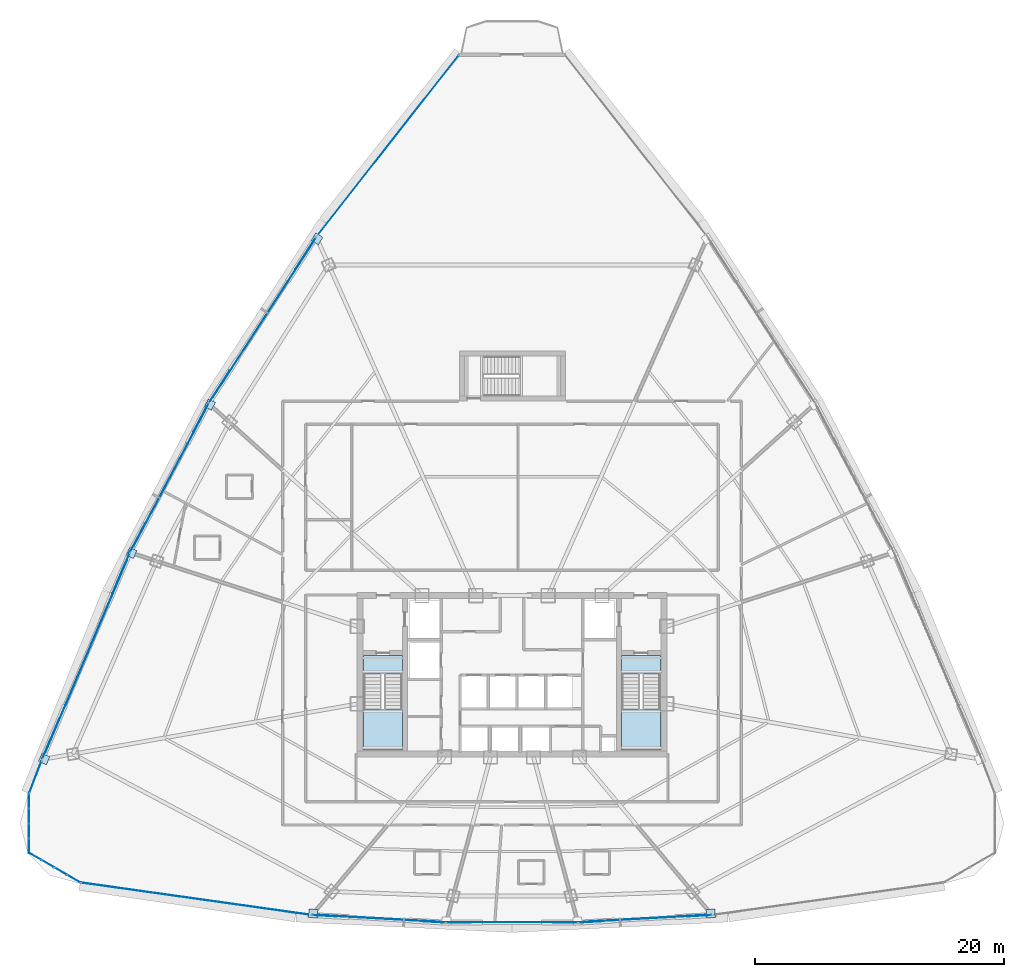
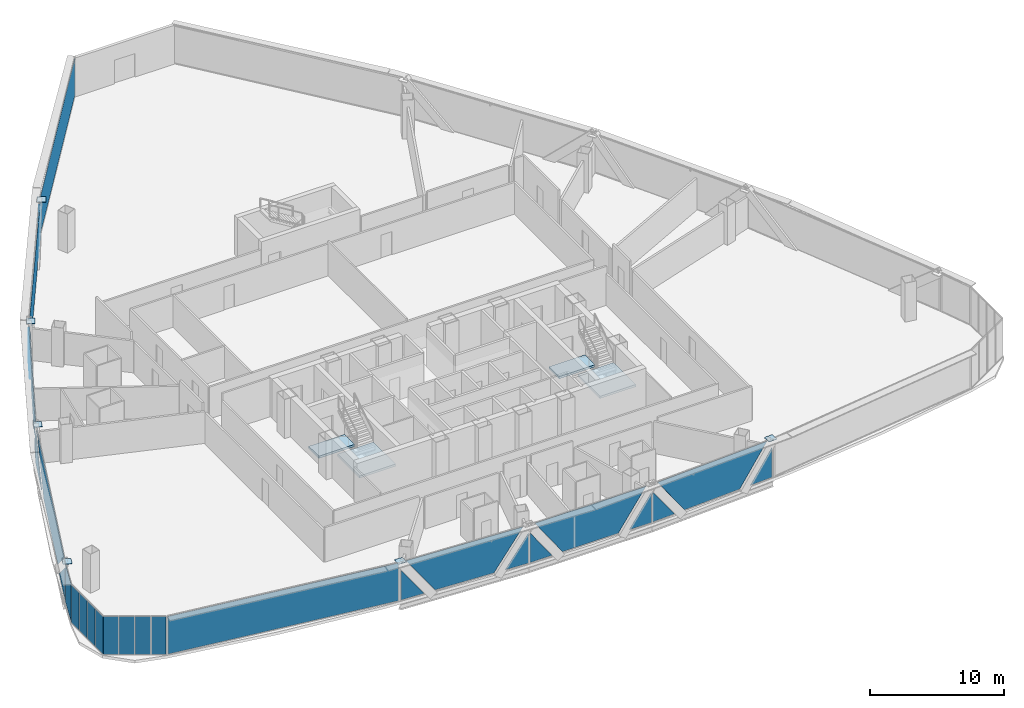
# One storey, part 29 of 40: 35 plates, 4 slabs, 13 elements without a shape of their own.
"""IFC4 building model written with IfcOpenShell, lengths in metres."""

import ifcopenshell
import ifcopenshell.guid

model = None  # the IFC model being written
_history = None  # IfcOwnerHistory: only IFC2X3 demands one
_inside = {}  # id of a spatial element -> (the spatial element, [elements in it])
_under = {}  # id of a project, library or spatial element -> (it, [spatial elements below it])
_declared = {}  # id of a project -> (the project, [libraries it declares])
_typed = {}  # id of a type object -> (the type object, [elements of that type])
_made_of = {}  # id of a material, layer set ... -> (it, [elements and type objects made of it])


def new_model(schema):
    """Start an empty IFC model of exactly this schema.

    Asked for "IFC4X3", IfcOpenShell would pick the latest addendum, in which some entities
    have other attributes; the version numbers below select the first issue.
    IFC2X3 requires an IfcOwnerHistory on every rooted entity: one is made here for all.
    """
    global model, _history
    if schema == "IFC4X3":
        model = ifcopenshell.file(schema_version=(4, 3, 0, 0))
    else:
        model = ifcopenshell.file(schema=schema)
    _inside.clear()
    _under.clear()
    _declared.clear()
    _typed.clear()
    _made_of.clear()
    _history = None
    if model.schema == "IFC2X3":
        org = make("IfcOrganization", Name="unknown")
        user = make(
            "IfcPersonAndOrganization",
            ThePerson=make("IfcPerson", FamilyName="unknown"),
            TheOrganization=org,
        )
        app = make(
            "IfcApplication",
            ApplicationDeveloper=org,
            Version="unknown",
            ApplicationFullName="unknown",
            ApplicationIdentifier="unknown",
        )
        _history = make(
            "IfcOwnerHistory",
            OwningUser=user,
            OwningApplication=app,
            ChangeAction="ADDED",
            CreationDate=0,
        )
    return model


def make(cls, **values):
    """One entity of the class cls with the attributes given. An attribute that is None is left unset."""
    return model.create_entity(
        cls, **{name: value for name, value in values.items() if value is not None}
    )


def rooted(cls, **values):
    """An entity with a GlobalId (a new one), such as an element, a storey or a relation."""
    return make(cls, GlobalId=ifcopenshell.guid.new(), OwnerHistory=_history, **values)


def si_unit(unit_type, name, prefix=None):
    """IfcSIUnit, for example si_unit("LENGTHUNIT", "METRE", prefix="MILLI")."""
    return make("IfcSIUnit", UnitType=unit_type, Prefix=prefix, Name=name)


def assignment(units):
    """IfcUnitAssignment: the units of a project."""
    return None if units is None else make("IfcUnitAssignment", Units=units)


def point(xyz):
    """IfcCartesianPoint."""
    return None if xyz is None else make("IfcCartesianPoint", Coordinates=xyz)


def direction(xyz):
    """IfcDirection."""
    return None if xyz is None else make("IfcDirection", DirectionRatios=xyz)


def frame(location, z_axis=None, x_axis=None):
    """IfcAxis2Placement3D, a coordinate frame: its origin and axes. An axis left out is left unset."""
    return make(
        "IfcAxis2Placement3D",
        Location=point(location),
        Axis=direction(z_axis),
        RefDirection=direction(x_axis),
    )


def frame_2d(location, x_axis=None):
    """IfcAxis2Placement2D, a coordinate frame in the plane: its origin and x axis."""
    return make(
        "IfcAxis2Placement2D", Location=point(location), RefDirection=direction(x_axis)
    )


def origin():
    """The frame at (0, 0, 0) with its axes left unset."""
    return frame((0.0, 0.0, 0.0))


def origin_2d():
    """The frame at (0, 0) in the plane with its x axis left unset."""
    return frame_2d((0.0, 0.0))


def place(relative_to, where):
    """IfcLocalPlacement: puts the frame where relative to a parent placement (None: the world)."""
    return make(
        "IfcLocalPlacement", PlacementRelTo=relative_to, RelativePlacement=where
    )


def context(
    kind, dimensions, precision=None, world=None, true_north=None, identifier=None
):
    """IfcGeometricRepresentationContext, for example the 3D "Model" context."""
    return make(
        "IfcGeometricRepresentationContext",
        ContextIdentifier=identifier,
        ContextType=kind,
        CoordinateSpaceDimension=dimensions,
        Precision=precision,
        WorldCoordinateSystem=world,
        TrueNorth=true_north,
    )


def subcontext(parent, identifier, kind, view, scale=None):
    """IfcGeometricRepresentationSubContext, for example "Body" below "Model"."""
    return make(
        "IfcGeometricRepresentationSubContext",
        ContextIdentifier=identifier,
        ContextType=kind,
        ParentContext=parent,
        TargetScale=scale,
        TargetView=view,
    )


def project(units=None, contexts=None):
    """IfcProject with its units and contexts."""
    return rooted(
        "IfcProject",
        Name="project",
        RepresentationContexts=contexts,
        UnitsInContext=assignment(units),
    )


def spatial(cls, under=None, at=None, **own):
    """A site, building, storey or space (cls), placed at a placement, below another one or the project."""
    s = rooted(cls, ObjectPlacement=at, **own)
    if under is not None:
        _under.setdefault(under.id(), (under, []))[1].append(s)
    return s


def polyline(points):
    """IfcPolyline through the points."""
    return make("IfcPolyline", Points=[point(p) for p in points])


def profile(cls, at=None, kind="AREA", **sizes):
    """A parametric profile (cls). Its sizes go by their IFC names, for example OverallWidth=200.0."""
    return make(cls, ProfileType=kind, Position=at, **sizes)


def rectangle(**sizes):
    """IfcRectangleProfileDef."""
    return profile("IfcRectangleProfileDef", **sizes)


def outline(outer, holes=None, kind="AREA"):
    """IfcArbitraryClosedProfileDef: a profile drawn as a closed curve; with holes, ...WithVoids."""
    if holes is None:
        return make("IfcArbitraryClosedProfileDef", ProfileType=kind, OuterCurve=outer)
    return make(
        "IfcArbitraryProfileDefWithVoids",
        ProfileType=kind,
        OuterCurve=outer,
        InnerCurves=holes,
    )


def extrude(swept, where, along, depth):
    """IfcExtrudedAreaSolid: the profile swept, set in the frame where, extruded along a direction by depth."""
    return make(
        "IfcExtrudedAreaSolid",
        SweptArea=swept,
        Position=where,
        ExtrudedDirection=direction(along),
        Depth=depth,
    )


def shape(context_of_items, identifier, shape_type, items):
    """IfcShapeRepresentation: the items that make up one representation, for example the "Body"."""
    return make(
        "IfcShapeRepresentation",
        ContextOfItems=context_of_items,
        RepresentationIdentifier=identifier,
        RepresentationType=shape_type,
        Items=items,
    )


def source(mapping_origin, context_of_items, identifier, shape_type, items):
    """IfcRepresentationMap: a shape defined once, which mapped items show again and again."""
    return make(
        "IfcRepresentationMap",
        MappingOrigin=mapping_origin,
        MappedRepresentation=shape(context_of_items, identifier, shape_type, items),
    )


def transform(
    local_origin,
    x_axis=None,
    y_axis=None,
    z_axis=None,
    scale=None,
    scale2=None,
    scale3=None,
    uniform=True,
):
    """IfcCartesianTransformationOperator3D, or its non-uniform kind. x_axis, y_axis, z_axis: its Axis1, 2, 3."""
    if uniform:
        return make(
            "IfcCartesianTransformationOperator3D",
            Axis1=direction(x_axis),
            Axis2=direction(y_axis),
            LocalOrigin=point(local_origin),
            Scale=scale,
            Axis3=direction(z_axis),
        )
    return make(
        "IfcCartesianTransformationOperator3DnonUniform",
        Axis1=direction(x_axis),
        Axis2=direction(y_axis),
        LocalOrigin=point(local_origin),
        Scale=scale,
        Axis3=direction(z_axis),
        Scale2=scale2,
        Scale3=scale3,
    )


def mapped(mapping_source, mapping_target):
    """IfcMappedItem: shows the shape of a source again, moved by a transform."""
    return make(
        "IfcMappedItem", MappingSource=mapping_source, MappingTarget=mapping_target
    )


def material(Name=None, Category=None):
    """IfcMaterial."""
    return make("IfcMaterial", Name=Name, Category=Category)


def layer(
    of_material, thickness, ventilated=None, Name=None, Category=None, Priority=None
):
    """IfcMaterialLayer: one layer of a wall or slab, of a material (None: an air gap)."""
    return make(
        "IfcMaterialLayer",
        Material=of_material,
        LayerThickness=thickness,
        IsVentilated=ventilated,
        Name=Name,
        Category=Category,
        Priority=Priority,
    )


def layer_set(layers, Name=None):
    """IfcMaterialLayerSet."""
    return make("IfcMaterialLayerSet", MaterialLayers=layers, LayerSetName=Name)


def made_of(thing, what):
    """Note that an element or type object is made of a material, layer set ...; save() writes the relation."""
    if what is not None:
        _made_of.setdefault(what.id(), (what, []))[1].append(thing)
    return thing


def type_object(cls, material=None, **own):
    """A type object (cls), such as IfcWallType, which elements share."""
    return made_of(rooted(cls, **own), material)


def element(
    cls,
    number,
    at=None,
    inside=None,
    cuts=None,
    type_object=None,
    material=None,
    context=None,
    identifier="Body",
    shape_type=None,
    held_by="IfcProductDefinitionShape",
    body=None,
    shapes=None,
    **own,
):
    """One element of the class cls, such as IfcWall. Its Tag is "e" and its number.

    at: its placement. inside: the storey or other place that contains it. cuts: it is an
    opening in that element (IfcRelVoidsElement). A single representation is given by context,
    identifier, shape_type and body (its items); several are given by shapes. held_by: the class
    of the entity that holds the representations. save() writes the other relations.
    """
    e = rooted(cls, Tag="e%d" % number, ObjectPlacement=at, **own)
    if body is not None:
        shapes = [shape(context, identifier, shape_type, body)]
    if shapes is not None:
        e.Representation = make(held_by, Representations=shapes)
    if inside is not None:
        _inside.setdefault(inside.id(), (inside, []))[1].append(e)
    if cuts is not None:
        rooted(
            "IfcRelVoidsElement", RelatingBuildingElement=cuts, RelatedOpeningElement=e
        )
    if type_object is not None:
        _typed.setdefault(type_object.id(), (type_object, []))[1].append(e)
    return made_of(e, material)


def aggregate(whole, parts):
    """IfcRelAggregates: a whole, such as a stair, and the parts it consists of."""
    return rooted("IfcRelAggregates", RelatingObject=whole, RelatedObjects=parts)


def save(model, path):
    """Write the relations noted so far, then the file.

    IfcRelAggregates (storeys below a building ...), IfcRelContainedInSpatialStructure (elements
    in a storey), IfcRelDefinesByType, IfcRelAssociatesMaterial and IfcRelDeclares: one each for
    every whole, place, type object, material and project.
    """
    for whole, parts in _under.values():
        aggregate(whole, parts)
    for where, things in _inside.values():
        rooted(
            "IfcRelContainedInSpatialStructure",
            RelatedElements=things,
            RelatingStructure=where,
        )
    for kind, things in _typed.values():
        rooted("IfcRelDefinesByType", RelatedObjects=things, RelatingType=kind)
    for what, things in _made_of.values():
        rooted("IfcRelAssociatesMaterial", RelatedObjects=things, RelatingMaterial=what)
    for by, libraries in _declared.values():
        rooted("IfcRelDeclares", RelatingContext=by, RelatedDefinitions=libraries)
    model.write(path)


model = new_model("IFC4")

# Units and contexts
model_context = context("Model", 3, precision=1e-05, world=origin(), true_north=direction((0.0, 1.0)))
body_context = subcontext(model_context, "Body", "Model", "MODEL_VIEW")
ifc_project = project(units=[si_unit("LENGTHUNIT", "METRE"), si_unit("AREAUNIT", "SQUARE_METRE"), si_unit("VOLUMEUNIT", "CUBIC_METRE"), si_unit("PLANEANGLEUNIT", "RADIAN"), si_unit("MASSUNIT", "GRAM", prefix="KILO"), si_unit("THERMODYNAMICTEMPERATUREUNIT", "KELVIN"), si_unit("POWERUNIT", "WATT")], contexts=[model_context])

# Site, building, storey
site_placement = place(None, origin())
site = spatial("IfcSite", under=ifc_project, at=site_placement, CompositionType="ELEMENT")
building_placement = place(site_placement, origin())
building = spatial("IfcBuilding", under=site, at=building_placement, Name="Yunzhuo Pagoda Commons", CompositionType="ELEMENT")
storey_placement = place(building_placement, frame((0.0, 0.0, 188.56005859375)))
storey = spatial("IfcBuildingStorey", under=building, at=storey_placement, Name="L47", CompositionType="ELEMENT", Elevation=188.56005859375)

# Curtain wall, plates
ifc_material_1 = material(Name="Anodized aluminium 6063-T6", Category="aluminium")
ifc_layer_1 = layer(ifc_material_1, 0.14990234375)
ifc_layer_set_1 = layer_set([ifc_layer_1], Name="Anodized aluminium 6063-T6")
curtain_wall_type_1 = type_object("IfcCurtainWallType", Name="CW-MID Mid-Zone Ribbon Curtain Wall", PredefinedType="NOTDEFINED", material=ifc_layer_set_1)
curtain_wall_1_placement = place(storey_placement, origin())
curtain_wall_1 = element("IfcCurtainWall", 1, at=curtain_wall_1_placement, inside=storey, type_object=curtain_wall_type_1, Name="L47 curtain wall CW-L47-F1B2", PredefinedType="NOTDEFINED")
ifc_material_2 = material(Name="Tempered low-e double glazing", Category="glass")
ifc_layer_2 = layer(ifc_material_2, 0.028076171875)
ifc_layer_set_2 = layer_set([ifc_layer_2], Name="Tempered low-e double glazing")
plate_type_1 = type_object("IfcPlateType", Name="CW-MID-P Low-E Double Glazing 28", PredefinedType="CURTAIN_PANEL", material=ifc_layer_set_2)
plate_1_placement = place(storey_placement, frame((32.984375, 14.531494140625, 1.4267578125), z_axis=(-0.056142665584, -0.998422756702, 0.0), x_axis=(0.998422756702, -0.056142665584, 0.0)))
plate_1 = element("IfcPlate", 2, at=plate_1_placement, type_object=plate_type_1, Name="CW panel 1.1 lite 1", PredefinedType="CURTAIN_PANEL", context=body_context, shape_type="SweptSolid", body=[
    extrude(outline(polyline([(-0.97265625, -1.37158203125), (0.97265625, -1.37158203125), (-0.97265625, 1.37158203125), (-0.97265625, -1.37158203125)])), origin(), (0.0, 0.0, 1.0), 0.028076171875),
])
plate_2_placement = place(storey_placement, frame((37.33544921875, 14.31689453125, 1.77001953125), z_axis=(-0.056142665584, -0.998422756702, 0.0), x_axis=(0.998422756702, -0.056142665584, 0.0)))
plate_2 = element("IfcPlate", 3, at=plate_2_placement, type_object=plate_type_1, Name="CW panel 1.1 lite 2", PredefinedType="CURTAIN_PANEL", context=body_context, shape_type="SweptSolid", body=[
    extrude(outline(polyline([(-4.884033203125, 1.715087890625), (-2.451904296875, -1.715087890625), (2.451904296875, -1.715087890625), (4.884033203125, 1.715087890625), (-4.884033203125, 1.715087890625)])), origin(), (0.0, 0.0, 1.0), 0.028076171875),
])
plate_3_placement = place(storey_placement, frame((41.683349609375, 14.042236328125, 1.4267578125), z_axis=(-0.056142665584, -0.998422756702, 0.0), x_axis=(0.998422756702, -0.056142665584, 0.0)))
plate_3 = element("IfcPlate", 4, at=plate_3_placement, type_object=plate_type_1, Name="CW panel 1.1 lite 3", PredefinedType="CURTAIN_PANEL", context=body_context, shape_type="SweptSolid", body=[
    extrude(outline(polyline([(-0.97265625, -1.37158203125), (0.97265625, -1.37158203125), (0.97265625, 1.37158203125), (-0.97265625, -1.37158203125)])), origin(), (0.0, 0.0, 1.0), 0.028076171875),
])
aggregate(curtain_wall_1, [plate_1, plate_2, plate_3])

curtain_wall_2_placement = place(storey_placement, origin())
curtain_wall_2 = element("IfcCurtainWall", 5, at=curtain_wall_2_placement, inside=storey, type_object=curtain_wall_type_1, Name="L47 curtain wall CW-L47-F1B3", PredefinedType="NOTDEFINED")
plate_4_placement = place(storey_placement, frame((43.72412109375, 13.984375, 1.421630859375), z_axis=(0.0, -1.0, 0.0), x_axis=(1.0, 0.0, 0.0)))
plate_4 = element("IfcPlate", 6, at=plate_4_placement, type_object=plate_type_1, Name="CW panel 1.1 lite 1", PredefinedType="CURTAIN_PANEL", context=body_context, shape_type="SweptSolid", body=[
    extrude(outline(polyline([(-0.95068359375, -1.36669921875), (0.95068359375, -1.36669921875), (-0.95068359375, 1.36669921875), (-0.95068359375, -1.36669921875)])), origin(), (0.0, 0.0, 1.0), 0.028076171875),
])
plate_5_placement = place(storey_placement, frame((48.0, 14.0146484375, 1.77001953125), z_axis=(0.0, -1.0, 0.0), x_axis=(1.0, 0.0, 0.0)))
plate_5 = element("IfcPlate", 7, at=plate_5_placement, type_object=plate_type_1, Name="CW panel 1.1 lite 2", PredefinedType="CURTAIN_PANEL", context=body_context, shape_type="SweptSolid", body=[
    extrude(outline(polyline([(-4.785400390625, 1.715087890625), (-2.3994140625, -1.715087890625), (2.3994140625, -1.715087890625), (4.785400390625, 1.715087890625), (-4.785400390625, 1.715087890625)])), origin(), (0.0, 0.0, 1.0), 0.028076171875),
])
plate_6_placement = place(storey_placement, frame((52.27587890625, 13.984375, 1.421630859375), z_axis=(0.0, -1.0, 0.0), x_axis=(1.0, 0.0, 0.0)))
plate_6 = element("IfcPlate", 8, at=plate_6_placement, type_object=plate_type_1, Name="CW panel 1.1 lite 3", PredefinedType="CURTAIN_PANEL", context=body_context, shape_type="SweptSolid", body=[
    extrude(outline(polyline([(-0.95068359375, -1.36669921875), (0.95068359375, -1.36669921875), (0.95068359375, 1.36669921875), (-0.95068359375, -1.36669921875)])), origin(), (0.0, 0.0, 1.0), 0.028076171875),
])
aggregate(curtain_wall_2, [plate_4, plate_5, plate_6])

curtain_wall_3_placement = place(storey_placement, origin())
curtain_wall_3 = element("IfcCurtainWall", 9, at=curtain_wall_3_placement, inside=storey, type_object=curtain_wall_type_1, Name="L47 curtain wall CW-L47-F1B4", PredefinedType="NOTDEFINED")
plate_7_placement = place(storey_placement, frame((54.316650390625, 14.042236328125, 1.4267578125), z_axis=(0.056142665584, -0.998422756702, 0.0), x_axis=(0.998422756702, 0.056142665584, 0.0)))
plate_7 = element("IfcPlate", 10, at=plate_7_placement, type_object=plate_type_1, Name="CW panel 1.1 lite 1", PredefinedType="CURTAIN_PANEL", context=body_context, shape_type="SweptSolid", body=[
    extrude(outline(polyline([(-0.97265625, -1.37158203125), (0.97265625, -1.37158203125), (-0.97265625, 1.37158203125), (-0.97265625, -1.37158203125)])), origin(), (0.0, 0.0, 1.0), 0.028076171875),
])
plate_8_placement = place(storey_placement, frame((58.66455078125, 14.31689453125, 1.77001953125), z_axis=(0.056142665584, -0.998422756702, 0.0), x_axis=(0.998422756702, 0.056142665584, 0.0)))
plate_8 = element("IfcPlate", 11, at=plate_8_placement, type_object=plate_type_1, Name="CW panel 1.1 lite 2", PredefinedType="CURTAIN_PANEL", context=body_context, shape_type="SweptSolid", body=[
    extrude(outline(polyline([(-4.884033203125, 1.715087890625), (-2.451904296875, -1.715087890625), (2.451904296875, -1.715087890625), (4.884033203125, 1.715087890625), (-4.884033203125, 1.715087890625)])), origin(), (0.0, 0.0, 1.0), 0.028076171875),
])
plate_9_placement = place(storey_placement, frame((63.015625, 14.531494140625, 1.4267578125), z_axis=(0.056142665584, -0.998422756702, 0.0), x_axis=(0.998422756702, 0.056142665584, 0.0)))
plate_9 = element("IfcPlate", 12, at=plate_9_placement, type_object=plate_type_1, Name="CW panel 1.1 lite 3", PredefinedType="CURTAIN_PANEL", context=body_context, shape_type="SweptSolid", body=[
    extrude(outline(polyline([(-0.97265625, -1.37158203125), (0.97265625, -1.37158203125), (0.97265625, 1.37158203125), (-0.97265625, -1.37158203125)])), origin(), (0.0, 0.0, 1.0), 0.028076171875),
])
aggregate(curtain_wall_3, [plate_7, plate_8, plate_9])

curtain_wall_4_placement = place(storey_placement, origin())
curtain_wall_4 = element("IfcCurtainWall", 13, at=curtain_wall_4_placement, inside=storey, type_object=curtain_wall_type_1, Name="L47 curtain wall CW-L47-F3B2", PredefinedType="NOTDEFINED")
plate_10_placement = place(storey_placement, frame((31.455322265625, 67.629150390625, 1.505859375), z_axis=(-0.839626850374, 0.543163651335, 0.0), x_axis=(-0.543163651335, -0.839626850374, 0.0)))
plate_10 = element("IfcPlate", 14, at=plate_10_placement, type_object=plate_type_1, Name="CW panel 1.1 lite 1", PredefinedType="CURTAIN_PANEL", context=body_context, shape_type="SweptSolid", body=[
    extrude(outline(polyline([(-1.517578125, -1.450927734375), (1.517578125, -1.450927734375), (-1.517578125, 1.450927734375), (-1.517578125, -1.450927734375)])), origin(), (0.0, 0.0, 1.0), 0.028076171875),
])
plate_11_placement = place(storey_placement, frame((28.01953125, 62.2626953125, 1.77001953125), z_axis=(-0.839626850374, 0.543163651335, 0.0), x_axis=(-0.543163651335, -0.839626850374, 0.0)))
plate_11 = element("IfcPlate", 15, at=plate_11_placement, type_object=plate_type_1, Name="CW panel 1.1 lite 2", PredefinedType="CURTAIN_PANEL", context=body_context, shape_type="SweptSolid", body=[
    extrude(outline(polyline([(-7.34228515625, 1.715087890625), (-3.75439453125, -1.715087890625), (3.75439453125, -1.715087890625), (7.34228515625, 1.715087890625), (-7.34228515625, 1.715087890625)])), origin(), (0.0, 0.0, 1.0), 0.028076171875),
])
plate_12_placement = place(storey_placement, frame((24.533203125, 56.9287109375, 1.505859375), z_axis=(-0.839626850374, 0.543163651335, 0.0), x_axis=(-0.543163651335, -0.839626850374, 0.0)))
plate_12 = element("IfcPlate", 16, at=plate_12_placement, type_object=plate_type_1, Name="CW panel 1.1 lite 3", PredefinedType="CURTAIN_PANEL", context=body_context, shape_type="SweptSolid", body=[
    extrude(outline(polyline([(-1.517578125, -1.450927734375), (1.517578125, -1.450927734375), (1.517578125, 1.450927734375), (-1.517578125, -1.450927734375)])), origin(), (0.0, 0.0, 1.0), 0.028076171875),
])
aggregate(curtain_wall_4, [plate_10, plate_11, plate_12])

curtain_wall_5_placement = place(storey_placement, origin())
curtain_wall_5 = element("IfcCurtainWall", 17, at=curtain_wall_5_placement, inside=storey, type_object=curtain_wall_type_1, Name="L47 curtain wall CW-L47-F3B3", PredefinedType="NOTDEFINED")
plate_13_placement = place(storey_placement, frame((23.058349609375, 54.43310546875, 1.477783203125), z_axis=(-0.884373131246, 0.46678063877, 0.0), x_axis=(-0.46678063877, -0.884373131246, 0.0)))
plate_13 = element("IfcPlate", 18, at=plate_13_placement, type_object=plate_type_1, Name="CW panel 1.1 lite 1", PredefinedType="CURTAIN_PANEL", context=body_context, shape_type="SweptSolid", body=[
    extrude(outline(polyline([(-1.265380859375, -1.4228515625), (1.265380859375, -1.4228515625), (-1.265380859375, 1.4228515625), (-1.265380859375, -1.4228515625)])), origin(), (0.0, 0.0, 1.0), 0.028076171875),
])
plate_14_placement = place(storey_placement, frame((20.548828125, 49.61376953125, 1.77001953125), z_axis=(-0.884373131246, 0.46678063877, 0.0), x_axis=(-0.46678063877, -0.884373131246, 0.0)))
plate_14 = element("IfcPlate", 19, at=plate_14_placement, type_object=plate_type_1, Name="CW panel 1.1 lite 2", PredefinedType="CURTAIN_PANEL", context=body_context, shape_type="SweptSolid", body=[
    extrude(outline(polyline([(-6.201416015625, 1.715087890625), (-3.15087890625, -1.715087890625), (3.15087890625, -1.715087890625), (6.201416015625, 1.715087890625), (-6.201416015625, 1.715087890625)])), origin(), (0.0, 0.0, 1.0), 0.028076171875),
])
plate_15_placement = place(storey_placement, frame((17.98583984375, 44.82275390625, 1.477783203125), z_axis=(-0.884373131246, 0.46678063877, 0.0), x_axis=(-0.46678063877, -0.884373131246, 0.0)))
plate_15 = element("IfcPlate", 20, at=plate_15_placement, type_object=plate_type_1, Name="CW panel 1.1 lite 3", PredefinedType="CURTAIN_PANEL", context=body_context, shape_type="SweptSolid", body=[
    extrude(outline(polyline([(-1.265380859375, -1.4228515625), (1.265380859375, -1.4228515625), (1.265380859375, 1.4228515625), (-1.265380859375, -1.4228515625)])), origin(), (0.0, 0.0, 1.0), 0.028076171875),
])
aggregate(curtain_wall_5, [plate_13, plate_14, plate_15])

curtain_wall_6_placement = place(storey_placement, origin())
curtain_wall_6 = element("IfcCurtainWall", 21, at=curtain_wall_6_placement, inside=storey, type_object=curtain_wall_type_1, Name="L47 curtain wall CW-L47-F3B4", PredefinedType="NOTDEFINED")
plate_16_placement = place(storey_placement, frame((16.663330078125, 41.9921875, 1.523681640625), z_axis=(-0.920515325194, 0.390706457693, 0.0), x_axis=(-0.390706457693, -0.920515325194, 0.0)))
plate_16 = element("IfcPlate", 22, at=plate_16_placement, type_object=plate_type_1, Name="CW panel 1.1 lite 1", PredefinedType="CURTAIN_PANEL", context=body_context, shape_type="SweptSolid", body=[
    extrude(outline(polyline([(-1.742919921875, -1.46875), (1.742919921875, -1.46875), (-1.742919921875, 1.46875), (-1.742919921875, -1.46875)])), origin(), (0.0, 0.0, 1.0), 0.028076171875),
])
plate_17_placement = place(storey_placement, frame((13.871826171875, 35.33837890625, 1.77001953125), z_axis=(-0.920515325194, 0.390706457693, 0.0), x_axis=(-0.390706457693, -0.920515325194, 0.0)))
plate_17 = element("IfcPlate", 23, at=plate_17_placement, type_object=plate_type_1, Name="CW panel 1.1 lite 2", PredefinedType="CURTAIN_PANEL", context=body_context, shape_type="SweptSolid", body=[
    extrude(outline(polyline([(-8.363525390625, 1.715087890625), (-4.29345703125, -1.715087890625), (4.293212890625, -1.715087890625), (8.363525390625, 1.715087890625), (-8.363525390625, 1.715087890625)])), origin(), (0.0, 0.0, 1.0), 0.028076171875),
])
plate_18_placement = place(storey_placement, frame((11.025146484375, 28.7080078125, 1.523681640625), z_axis=(-0.920515325194, 0.390706457693, 0.0), x_axis=(-0.390706457693, -0.920515325194, 0.0)))
plate_18 = element("IfcPlate", 24, at=plate_18_placement, type_object=plate_type_1, Name="CW panel 1.1 lite 3", PredefinedType="CURTAIN_PANEL", context=body_context, shape_type="SweptSolid", body=[
    extrude(outline(polyline([(-1.742919921875, -1.46875), (1.742919921875, -1.46875), (1.742919921875, 1.46875), (-1.742919921875, -1.46875)])), origin(), (0.0, 0.0, 1.0), 0.028076171875),
])
aggregate(curtain_wall_6, [plate_16, plate_17, plate_18])

# Stair, slabs
ifc_material_3 = material(Name="Concrete C40", Category="concrete")
stair_type_1 = type_object("IfcStairType", Name="ST-C1 Core Smokeproof Stair ST1", PredefinedType="HALF_TURN_STAIR", material=ifc_material_3)
stair_1_placement = place(storey_placement, origin())
stair_1 = element("IfcStair", 25, at=stair_1_placement, inside=storey, type_object=stair_type_1, Name="L47 Core smokeproof stair ST1", PredefinedType="HALF_TURN_STAIR")
ifc_layer_3 = layer(ifc_material_3, 0.199951171875)
ifc_layer_set_3 = layer_set([ifc_layer_3], Name="Concrete C40")
slab_type_1 = type_object("IfcSlabType", Name="SL-LND1 Stair Landing Slab 200", PredefinedType="LANDING", material=ifc_layer_set_3)
slab_1_placement = place(storey_placement, frame((0.0, 0.0, 1.699951171875)))
slab_1 = element("IfcSlab", 26, at=slab_1_placement, type_object=slab_type_1, Name="ST1 landing 1", PredefinedType="LANDING", context=body_context, shape_type="SweptSolid", body=[
    extrude(outline(polyline([(36.10009765625, 31.10009765625), (36.10009765625, 27.800048828125), (39.199951171875, 27.800048828125), (39.199951171875, 31.10009765625), (36.10009765625, 31.10009765625)])), origin(), (0.0, 0.0, 1.0), 0.199951171875),
])
slab_2_placement = place(storey_placement, frame((0.0, 0.0, -0.199951171875)))
slab_2 = element("IfcSlab", 27, at=slab_2_placement, type_object=slab_type_1, Name="ST1 floor landing L47", PredefinedType="LANDING", context=body_context, shape_type="SweptSolid", body=[
    extrude(outline(polyline([(36.10009765625, 35.39990234375), (36.10009765625, 33.89990234375), (39.199951171875, 33.89990234375), (39.199951171875, 35.39990234375), (36.10009765625, 35.39990234375)])), origin(), (0.0, 0.0, 1.0), 0.199951171875),
])
aggregate(stair_1, [slab_1, slab_2])

stair_type_2 = type_object("IfcStairType", Name="ST-C2 Core Smokeproof Stair ST2", PredefinedType="HALF_TURN_STAIR", material=ifc_material_3)
stair_2_placement = place(storey_placement, origin())
stair_2 = element("IfcStair", 28, at=stair_2_placement, inside=storey, type_object=stair_type_2, Name="L47 Core smokeproof stair ST2", PredefinedType="HALF_TURN_STAIR")
ifc_layer_4 = layer(ifc_material_3, 0.201904296875)
ifc_layer_set_4 = layer_set([ifc_layer_4], Name="Concrete C40")
slab_type_2 = type_object("IfcSlabType", Name="SL-LND2 Stair Landing Slab 202", PredefinedType="LANDING", material=ifc_layer_set_4)
slab_3_placement = place(storey_placement, frame((0.0, 0.0, 1.699951171875)))
slab_3 = element("IfcSlab", 29, at=slab_3_placement, type_object=slab_type_2, Name="ST2 landing 1", PredefinedType="LANDING", context=body_context, shape_type="SweptSolid", body=[
    extrude(outline(polyline([(56.800048828125, 31.10009765625), (56.800048828125, 27.800048828125), (59.89990234375, 27.800048828125), (59.89990234375, 31.10009765625), (56.800048828125, 31.10009765625)])), origin(), (0.0, 0.0, 1.0), 0.199951171875),
])
slab_4_placement = place(storey_placement, frame((0.0, 0.0, -0.199951171875)))
slab_4 = element("IfcSlab", 30, at=slab_4_placement, type_object=slab_type_2, Name="ST2 floor landing L47", PredefinedType="LANDING", context=body_context, shape_type="SweptSolid", body=[
    extrude(outline(polyline([(56.800048828125, 35.39990234375), (56.800048828125, 33.89990234375), (59.89990234375, 33.89990234375), (59.89990234375, 35.39990234375), (56.800048828125, 35.39990234375)])), origin(), (0.0, 0.0, 1.0), 0.199951171875),
])
aggregate(stair_2, [slab_3, slab_4])

# Plates
ifc_material_4 = material(Name="Structural steel Q355B", Category="steel")
ifc_layer_5 = layer(ifc_material_4, 0.028076171875)
ifc_layer_set_5 = layer_set([ifc_layer_5], Name="Structural steel Q355B")
plate_type_2 = type_object("IfcPlateType", Name="SP-ND1 Lattice Node Cap Plate 800x500x28", PredefinedType="USERDEFINED", material=ifc_layer_set_5)
shared_shape_1 = source(origin(), body_context, "Body", "SweptSolid", [
    extrude(rectangle(XDim=0.699951171875, YDim=0.680908203125, at=origin_2d()), origin(), (0.0, 0.0, 1.0), 0.035888671875),
])
for number, where, z_axis, x_axis, name in (
    (31, (32.05908203125, 14.7021484375, 3.501953125), (0.0, 0.0, 1.0), (0.998423178068, -0.05613517165, 0.0), "L47 setback lattice tie plate F1.1L"),
    (32, (63.94091796875, 14.7021484375, 3.501953125), (0.0, 0.0, 1.0), (0.998423178068, 0.05613517165, 0.0), "L47 setback lattice tie plate F1.3R"),
):
    element("IfcPlate", number, at=place(storey_placement, frame(where, z_axis=z_axis, x_axis=x_axis)), inside=storey, type_object=plate_type_2, Name=name, ObjectType="STIFFENER_PLATE", PredefinedType="USERDEFINED", context=body_context, shape_type="MappedRepresentation", body=[
        mapped(shared_shape_1, transform((0.0, 0.0, 0.0), scale=1.0)),
    ])
shared_shape_2 = source(origin(), body_context, "Body", "SweptSolid", [
    extrude(rectangle(XDim=0.699951171875, YDim=0.694091796875, at=origin_2d()), origin(), (0.0, 0.0, 1.0), 0.035888671875),
])
plate_19_placement = place(storey_placement, frame((10.47705078125, 27.083740234375, 3.501953125), z_axis=(0.0, 0.0, 1.0), x_axis=(-0.39069899657, -0.920518491981, 0.0)))
element("IfcPlate", 33, at=plate_19_placement, inside=storey, type_object=plate_type_2, Name="L47 setback lattice tie plate F3.3R", ObjectType="STIFFENER_PLATE", PredefinedType="USERDEFINED", context=body_context, shape_type="MappedRepresentation", body=[
    mapped(shared_shape_2, transform((0.0, 0.0, 0.0), scale=1.0)),
])
shared_shape_3 = source(origin(), body_context, "Body", "SweptSolid", [
    extrude(rectangle(XDim=0.699951171875, YDim=0.6328125, at=origin_2d()), origin(), (0.0, 0.0, 1.0), 0.035888671875),
])
plate_20_placement = place(storey_placement, frame((17.489501953125, 43.613525390625, 3.501953125), z_axis=(0.0, 0.0, 1.0), x_axis=(-0.39069899657, -0.920518491981, 0.0)))
element("IfcPlate", 34, at=plate_20_placement, inside=storey, type_object=plate_type_2, Name="L47 setback lattice tie plate F3.3L", ObjectType="STIFFENER_PLATE", PredefinedType="USERDEFINED", context=body_context, shape_type="MappedRepresentation", body=[
    mapped(shared_shape_3, transform((0.0, 0.0, 0.0), scale=1.0)),
])
shared_shape_4 = source(origin(), body_context, "Body", "SweptSolid", [
    extrude(rectangle(XDim=0.699951171875, YDim=0.678955078125, at=origin_2d()), origin(), (0.0, 0.0, 1.0), 0.035888671875),
])
plate_21_placement = place(storey_placement, frame((32.36767578125, 68.81103515625, 3.501953125), z_axis=(0.0, 0.0, 1.0), x_axis=(-0.543159795737, -0.839629344589, 0.0)))
element("IfcPlate", 35, at=plate_21_placement, inside=storey, type_object=plate_type_2, Name="L47 setback lattice tie plate F3.1L", ObjectType="STIFFENER_PLATE", PredefinedType="USERDEFINED", context=body_context, shape_type="MappedRepresentation", body=[
    mapped(shared_shape_4, transform((0.0, 0.0, 0.0), scale=1.0)),
])
shared_shape_5 = source(origin(), body_context, "Body", "SweptSolid", [
    extrude(rectangle(XDim=0.699951171875, YDim=0.634033203125, at=origin_2d()), origin(), (0.0, 0.0, 1.0), 0.035888671875),
])
plate_22_placement = place(storey_placement, frame((23.770263671875, 55.5166015625, 3.501953125), z_axis=(0.0, 0.0, 1.0), x_axis=(-0.46678800242, -0.884369244601, 0.0)))
element("IfcPlate", 36, at=plate_22_placement, inside=storey, type_object=plate_type_2, Name="L47 setback lattice tie plate F3.2L", ObjectType="STIFFENER_PLATE", PredefinedType="USERDEFINED", context=body_context, shape_type="MappedRepresentation", body=[
    mapped(shared_shape_5, transform((0.0, 0.0, 0.0), scale=1.0)),
])

# Curtain wall, plate
curtain_wall_7_placement = place(storey_placement, origin())
curtain_wall_7 = element("IfcCurtainWall", 37, at=curtain_wall_7_placement, inside=storey, type_object=curtain_wall_type_1, Name="L47 curtain wall CW-L47-F1B1", PredefinedType="NOTDEFINED")
shared_shape_6 = source(origin(), body_context, "Body", "SweptSolid", [
    extrude(rectangle(XDim=18.564453125, YDim=0.028076171875, at=origin_2d()), origin(), (0.0, 0.0, 1.0), 3.429931640625),
])
plate_23_placement = place(storey_placement, frame((22.626953125, 15.88671875, 0.05517578125), z_axis=(0.0, 0.0, 1.0), x_axis=(0.990259634524, -0.139233100351, 0.0)))
plate_23 = element("IfcPlate", 38, at=plate_23_placement, type_object=plate_type_1, Name="CW panel 1.1", PredefinedType="CURTAIN_PANEL", context=body_context, shape_type="MappedRepresentation", body=[
    mapped(shared_shape_6, transform((0.0, 0.0, 0.0), scale=1.0)),
])
aggregate(curtain_wall_7, [plate_23])

curtain_wall_8_placement = place(storey_placement, origin())
curtain_wall_8 = element("IfcCurtainWall", 39, at=curtain_wall_8_placement, inside=storey, type_object=curtain_wall_type_1, Name="L47 curtain wall CW-L47-F3B5", PredefinedType="NOTDEFINED")
shared_shape_7 = source(origin(), body_context, "Body", "SweptSolid", [
    extrude(rectangle(XDim=2.718994140625, YDim=0.028076171875, at=origin_2d()), origin(), (0.0, 0.0, 1.0), 3.429931640625),
])
plate_24_placement = place(storey_placement, frame((9.7783203125, 25.65625, 0.05517578125), z_axis=(0.0, 0.0, 1.0), x_axis=(-0.354256000401, -0.935148483493, 0.0)))
plate_24 = element("IfcPlate", 40, at=plate_24_placement, type_object=plate_type_1, Name="CW panel 1.1", PredefinedType="CURTAIN_PANEL", context=body_context, shape_type="MappedRepresentation", body=[
    mapped(shared_shape_7, transform((0.0, 0.0, 0.0), scale=1.0)),
])
aggregate(curtain_wall_8, [plate_24])

curtain_wall_9_placement = place(storey_placement, origin())
curtain_wall_9 = element("IfcCurtainWall", 41, at=curtain_wall_9_placement, inside=storey, type_object=curtain_wall_type_1, Name="L47 curtain wall CW-L47-F3B1", PredefinedType="NOTDEFINED")
shared_shape_8 = source(origin(), body_context, "Body", "SweptSolid", [
    extrude(rectangle(XDim=18.384765625, YDim=0.028076171875, at=origin_2d()), origin(), (0.0, 0.0, 1.0), 3.429931640625),
])
plate_25_placement = place(storey_placement, frame((38.055908203125, 76.301513671875, 0.05517578125), z_axis=(0.0, 0.0, 1.0), x_axis=(-0.617016460427, -0.786950244655, 0.0)))
plate_25 = element("IfcPlate", 42, at=plate_25_placement, type_object=plate_type_1, Name="CW panel 1.1", PredefinedType="CURTAIN_PANEL", context=body_context, shape_type="MappedRepresentation", body=[
    mapped(shared_shape_8, transform((0.0, 0.0, 0.0), scale=1.0)),
])
aggregate(curtain_wall_9, [plate_25])

# Curtain wall, plates
ifc_layer_6 = layer(ifc_material_1, 0.1298828125)
ifc_layer_set_6 = layer_set([ifc_layer_6], Name="Anodized aluminium 6063-T6")
curtain_wall_type_2 = type_object("IfcCurtainWallType", Name="CW-VTX Rounded Corner Curtain Wall", PredefinedType="NOTDEFINED", material=ifc_layer_set_6)
curtain_wall_10_placement = place(storey_placement, origin())
curtain_wall_10 = element("IfcCurtainWall", 43, at=curtain_wall_10_placement, inside=storey, type_object=curtain_wall_type_2, Name="L47 curtain wall CW-L47-VTX1S1", PredefinedType="NOTDEFINED")
ifc_layer_7 = layer(ifc_material_2, 0.02587890625)
ifc_layer_set_7 = layer_set([ifc_layer_7], Name="Tempered low-e double glazing")
plate_type_3 = type_object("IfcPlateType", Name="CW-VTX-P Low-E Double Glazing 26", PredefinedType="CURTAIN_PANEL", material=ifc_layer_set_7)
shared_shape_9 = source(origin(), body_context, "Body", "SweptSolid", [
    extrude(rectangle(XDim=1.118408203125, YDim=0.028076171875, at=origin_2d()), origin(), (0.0, 0.0, 1.0), 3.429931640625),
])
plate_26_placement = place(storey_placement, frame((9.273193359375, 23.714599609375, 0.05517578125), z_axis=(0.0, 0.0, 1.0), x_axis=(-0.003580326762, -0.99999359061, 0.0)))
plate_26 = element("IfcPlate", 44, at=plate_26_placement, type_object=plate_type_3, Name="CW panel 1.1", PredefinedType="CURTAIN_PANEL", context=body_context, shape_type="MappedRepresentation", body=[
    mapped(shared_shape_9, transform((0.0, 0.0, 0.0), scale=1.0)),
])
plate_27_placement = place(storey_placement, frame((9.260498046875, 20.13916015625, 0.05517578125), z_axis=(0.0, 0.0, 1.0), x_axis=(-0.003580326762, -0.99999359061, 0.0)))
plate_27 = element("IfcPlate", 45, at=plate_27_placement, type_object=plate_type_3, Name="CW panel 4.1", PredefinedType="CURTAIN_PANEL", context=body_context, shape_type="MappedRepresentation", body=[
    mapped(shared_shape_9, transform((0.0, 0.0, 0.0), scale=1.0)),
])

curtain_wall_11_placement = place(storey_placement, origin())
curtain_wall_11 = element("IfcCurtainWall", 46, at=curtain_wall_11_placement, inside=storey, type_object=curtain_wall_type_2, Name="L47 curtain wall CW-L47-VTX1S2", PredefinedType="NOTDEFINED")
plate_28_placement = place(storey_placement, frame((9.75, 19.28662109375, 0.05517578125), z_axis=(0.0, 0.0, 1.0), x_axis=(0.865423910208, -0.501040373263, 0.0)))
plate_28 = element("IfcPlate", 47, at=plate_28_placement, type_object=plate_type_3, Name="CW panel 1.1", PredefinedType="CURTAIN_PANEL", context=body_context, shape_type="MappedRepresentation", body=[
    mapped(shared_shape_9, transform((0.0, 0.0, 0.0), scale=1.0)),
])
plate_29_placement = place(storey_placement, frame((12.84423828125, 17.4951171875, 0.05517578125), z_axis=(0.0, 0.0, 1.0), x_axis=(0.865423910208, -0.501040373263, 0.0)))
plate_29 = element("IfcPlate", 48, at=plate_29_placement, type_object=plate_type_3, Name="CW panel 4.1", PredefinedType="CURTAIN_PANEL", context=body_context, shape_type="MappedRepresentation", body=[
    mapped(shared_shape_9, transform((0.0, 0.0, 0.0), scale=1.0)),
])

# Plate
shared_shape_10 = source(origin(), body_context, "Body", "SweptSolid", [
    extrude(rectangle(XDim=1.14599609375, YDim=0.028076171875, at=origin_2d()), origin(), (0.0, 0.0, 1.0), 3.429931640625),
])
plate_30_placement = place(storey_placement, frame((9.26904296875, 22.52734375, 0.05517578125), z_axis=(0.0, 0.0, 1.0), x_axis=(-0.003580326762, -0.99999359061, 0.0)))
plate_30 = element("IfcPlate", 49, at=plate_30_placement, type_object=plate_type_3, Name="CW panel 2.1", PredefinedType="CURTAIN_PANEL", context=body_context, shape_type="MappedRepresentation", body=[
    mapped(shared_shape_10, transform((0.0, 0.0, 0.0), scale=1.0)),
])

plate_31_placement = place(storey_placement, frame((9.2646484375, 21.326416015625, 0.05517578125), z_axis=(0.0, 0.0, 1.0), x_axis=(-0.003580326762, -0.99999359061, 0.0)))
plate_31 = element("IfcPlate", 50, at=plate_31_placement, type_object=plate_type_3, Name="CW panel 3.1", PredefinedType="CURTAIN_PANEL", context=body_context, shape_type="MappedRepresentation", body=[
    mapped(shared_shape_10, transform((0.0, 0.0, 0.0), scale=1.0)),
])

aggregate(curtain_wall_10, [plate_26, plate_30, plate_31, plate_27])

plate_32_placement = place(storey_placement, frame((10.77734375, 18.69189453125, 0.05517578125), z_axis=(0.0, 0.0, 1.0), x_axis=(0.865423910208, -0.501040373263, 0.0)))
plate_32 = element("IfcPlate", 51, at=plate_32_placement, type_object=plate_type_3, Name="CW panel 2.1", PredefinedType="CURTAIN_PANEL", context=body_context, shape_type="MappedRepresentation", body=[
    mapped(shared_shape_10, transform((0.0, 0.0, 0.0), scale=1.0)),
])

plate_33_placement = place(storey_placement, frame((11.816650390625, 18.090087890625, 0.05517578125), z_axis=(0.0, 0.0, 1.0), x_axis=(0.865423910208, -0.501040373263, 0.0)))
plate_33 = element("IfcPlate", 52, at=plate_33_placement, type_object=plate_type_3, Name="CW panel 3.1", PredefinedType="CURTAIN_PANEL", context=body_context, shape_type="MappedRepresentation", body=[
    mapped(shared_shape_10, transform((0.0, 0.0, 0.0), scale=1.0)),
])

aggregate(curtain_wall_11, [plate_28, plate_32, plate_33, plate_29])

save(model, "model.ifc")
